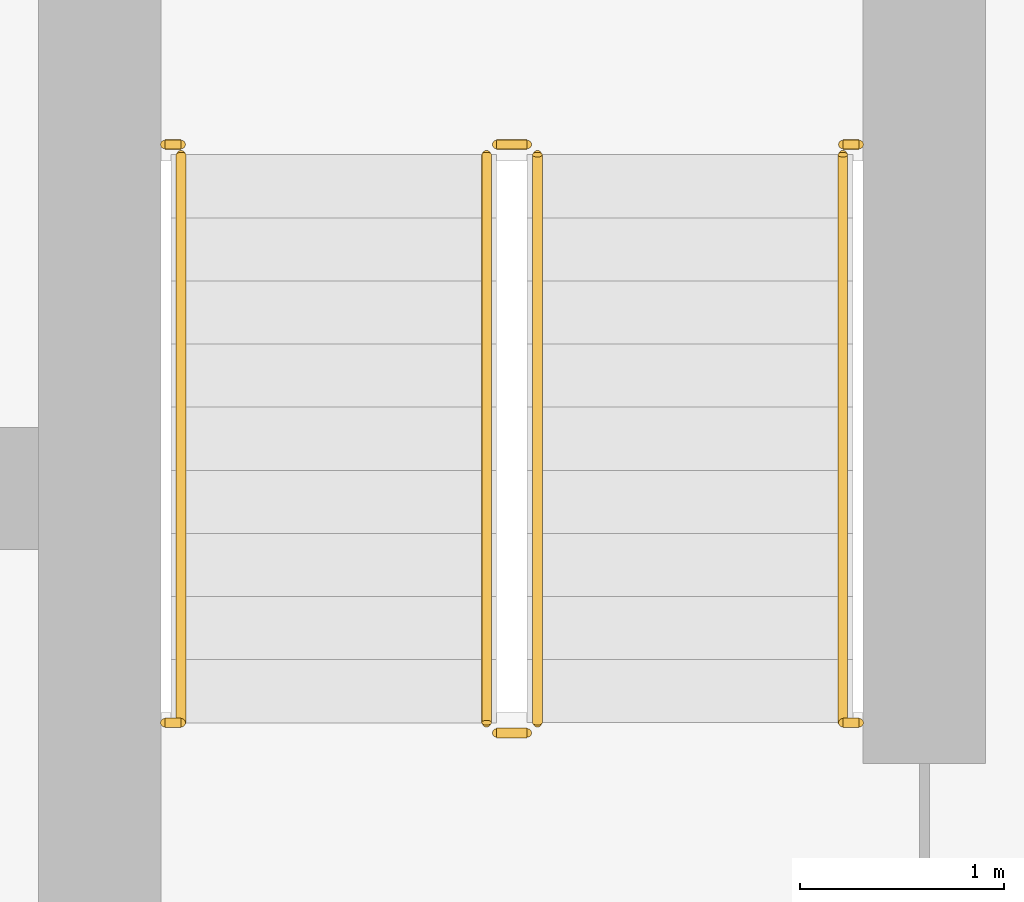
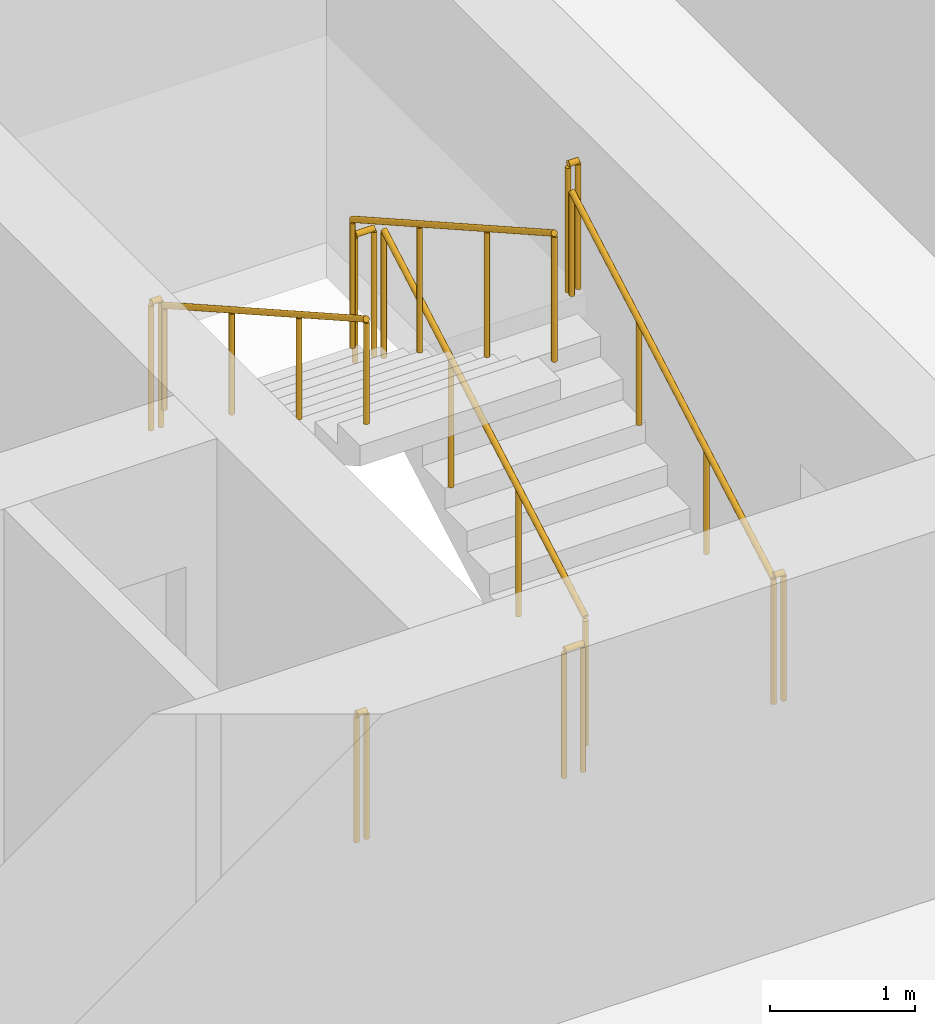
# One storey, part 20 of 22: 10 railings.
"""IFC4 building model written with IfcOpenShell, lengths in metres."""

from ifc_helpers import new_model, si_unit, direction, frame, origin, origin_2d, place, context, subcontext, project, spatial, circle, extrude, material, type_object, element, save


model = new_model("IFC4")

# Units and contexts
model_context = context("Model", 3, precision=1e-05, world=origin(), true_north=direction((0.0, 1.0)))
body_context = subcontext(model_context, "Body", "Model", "MODEL_VIEW")
ifc_project = project(units=[si_unit("LENGTHUNIT", "METRE"), si_unit("AREAUNIT", "SQUARE_METRE"), si_unit("VOLUMEUNIT", "CUBIC_METRE"), si_unit("PLANEANGLEUNIT", "RADIAN"), si_unit("MASSUNIT", "GRAM", prefix="KILO")], contexts=[model_context])

# Site, building, storey
site_placement = place(None, origin())
site = spatial("IfcSite", under=ifc_project, at=site_placement, CompositionType="ELEMENT")
building_placement = place(site_placement, origin())
building = spatial("IfcBuilding", under=site, at=building_placement, Name="Madar Terraces", CompositionType="ELEMENT")
storey_placement = place(building_placement, frame((0.0, 0.0, 170.0)))
storey = spatial("IfcBuildingStorey", under=building, at=storey_placement, Name="L44", CompositionType="ELEMENT", Elevation=170.0)

# Railings
ifc_material_1 = material(Name="Stainless steel railing", Category="steel")
railing_type_1 = type_object("IfcRailingType", Name="Stair guard 1100", PredefinedType="GUARDRAIL", material=ifc_material_1)
railing_1_placement = place(storey_placement, frame((41.449951171875, 17.60009765625, 0.175048828125)))
element("IfcRailing", 1, at=railing_1_placement, inside=storey, type_object=railing_type_1, Name="L44 ST3 stair guard 1", PredefinedType="GUARDRAIL", context=body_context, shape_type="SweptSolid", body=[
    extrude(circle(Radius=0.02392578125, at=origin_2d()), frame((0.0, 0.0, 1.076171875), z_axis=(0.0, 0.870815363784, 0.491610213684), x_axis=(-1.0, 0.0, 0.0)), (0.0, 0.0, 1.0), 3.20361328125),
    extrude(circle(Radius=0.02099609375, at=origin_2d()), origin(), (0.0, 0.0, 1.0), 1.052001953125),
    extrude(circle(Radius=0.02099609375, at=origin_2d()), frame((0.0, 0.929931640625, 0.52490234375)), (0.0, 0.0, 1.0), 1.052001953125),
    extrude(circle(Radius=0.02099609375, at=origin_2d()), frame((0.0, 1.85986328125, 1.050048828125)), (0.0, 0.0, 1.0), 1.052001953125),
    extrude(circle(Radius=0.02099609375, at=origin_2d()), frame((0.0, 2.789794921875, 1.574951171875)), (0.0, 0.0, 1.0), 1.052001953125),
])
railing_2_placement = place(storey_placement, frame((41.39990234375, 20.43994140625, 1.75)))
element("IfcRailing", 2, at=railing_2_placement, inside=storey, type_object=railing_type_1, Name="L44 ST3 stair guard 2", PredefinedType="GUARDRAIL", context=body_context, shape_type="SweptSolid", body=[
    extrude(circle(Radius=0.02392578125, at=origin_2d()), frame((0.0, 0.0, 1.076171875), z_axis=(-1.0, 0.0, 0.0), x_axis=(0.0, -1.0, 0.0)), (0.0, 0.0, 1.0), 0.14990234375),
    extrude(circle(Radius=0.02099609375, at=origin_2d()), origin(), (0.0, 0.0, 1.0), 1.052001953125),
    extrude(circle(Radius=0.02099609375, at=origin_2d()), frame((-0.14990234375, 0.0, 0.0)), (0.0, 0.0, 1.0), 1.052001953125),
])
railing_3_placement = place(storey_placement, frame((41.199951171875, 20.389892578125, 1.925048828125)))
element("IfcRailing", 3, at=railing_3_placement, inside=storey, type_object=railing_type_1, Name="L44 ST3 stair guard 3", PredefinedType="GUARDRAIL", context=body_context, shape_type="SweptSolid", body=[
    extrude(circle(Radius=0.02392578125, at=origin_2d()), frame((0.0, 0.0, 1.076171875), z_axis=(0.0, -0.870815363784, 0.491610213684), x_axis=(1.0, 0.0, 0.0)), (0.0, 0.0, 1.0), 3.20361328125),
    extrude(circle(Radius=0.02099609375, at=origin_2d()), origin(), (0.0, 0.0, 1.0), 1.052001953125),
    extrude(circle(Radius=0.02099609375, at=origin_2d()), frame((0.0, -0.929931640625, 0.52490234375)), (0.0, 0.0, 1.0), 1.052001953125),
    extrude(circle(Radius=0.02099609375, at=origin_2d()), frame((0.0, -1.85986328125, 1.050048828125)), (0.0, 0.0, 1.0), 1.052001953125),
    extrude(circle(Radius=0.02099609375, at=origin_2d()), frame((0.0, -2.789794921875, 1.574951171875)), (0.0, 0.0, 1.0), 1.052001953125),
])
railing_4_placement = place(storey_placement, frame((41.39990234375, 17.550048828125, 0.0)))
element("IfcRailing", 4, at=railing_4_placement, inside=storey, type_object=railing_type_1, Name="L44 ST3 stair guard 4", PredefinedType="GUARDRAIL", context=body_context, shape_type="SweptSolid", body=[
    extrude(circle(Radius=0.02392578125, at=origin_2d()), frame((0.0, 0.0, 1.076171875), z_axis=(-1.0, 0.0, 0.0), x_axis=(0.0, -1.0, 0.0)), (0.0, 0.0, 1.0), 0.14990234375),
    extrude(circle(Radius=0.02099609375, at=origin_2d()), origin(), (0.0, 0.0, 1.0), 1.052001953125),
    extrude(circle(Radius=0.02099609375, at=origin_2d()), frame((-0.14990234375, 0.0, 0.0)), (0.0, 0.0, 1.0), 1.052001953125),
])
railing_5_placement = place(storey_placement, frame((39.6201171875, 20.43994140625, 1.75)))
element("IfcRailing", 5, at=railing_5_placement, inside=storey, type_object=railing_type_1, Name="L44 stair guard seat 1", PredefinedType="GUARDRAIL", context=body_context, shape_type="SweptSolid", body=[
    extrude(circle(Radius=0.02392578125, at=origin_2d()), frame((0.0, 0.0, 1.076171875), z_axis=(1.0, 0.0, 0.0), x_axis=(0.0, 1.0, 0.0)), (0.0, 0.0, 1.0), 0.079833984375),
    extrude(circle(Radius=0.02099609375, at=origin_2d()), origin(), (0.0, 0.0, 1.0), 1.052001953125),
    extrude(circle(Radius=0.02099609375, at=origin_2d()), frame((0.079833984375, 0.0, 0.0)), (0.0, 0.0, 1.0), 1.052001953125),
])
railing_6_placement = place(storey_placement, frame((42.949951171875, 20.43994140625, 1.75)))
element("IfcRailing", 6, at=railing_6_placement, inside=storey, type_object=railing_type_1, Name="L44 stair guard seat 2", PredefinedType="GUARDRAIL", context=body_context, shape_type="SweptSolid", body=[
    extrude(circle(Radius=0.02392578125, at=origin_2d()), frame((0.0, 0.0, 1.076171875), z_axis=(1.0, 0.0, 0.0), x_axis=(0.0, 1.0, 0.0)), (0.0, 0.0, 1.0), 0.080078125),
    extrude(circle(Radius=0.02099609375, at=origin_2d()), origin(), (0.0, 0.0, 1.0), 1.052001953125),
    extrude(circle(Radius=0.02099609375, at=origin_2d()), frame((0.080078125, 0.0, 0.0)), (0.0, 0.0, 1.0), 1.052001953125),
])
railing_7_placement = place(storey_placement, frame((39.6201171875, 17.60009765625, 0.0)))
element("IfcRailing", 7, at=railing_7_placement, inside=storey, type_object=railing_type_1, Name="L44 stair guard floor 1", PredefinedType="GUARDRAIL", context=body_context, shape_type="SweptSolid", body=[
    extrude(circle(Radius=0.02392578125, at=origin_2d()), frame((0.0, 0.0, 1.076171875), z_axis=(1.0, 0.0, 0.0), x_axis=(0.0, 1.0, 0.0)), (0.0, 0.0, 1.0), 0.079833984375),
    extrude(circle(Radius=0.02099609375, at=origin_2d()), origin(), (0.0, 0.0, 1.0), 1.052001953125),
    extrude(circle(Radius=0.02099609375, at=origin_2d()), frame((0.079833984375, 0.0, 0.0)), (0.0, 0.0, 1.0), 1.052001953125),
])
railing_8_placement = place(storey_placement, frame((42.949951171875, 17.60009765625, 0.0)))
element("IfcRailing", 8, at=railing_8_placement, inside=storey, type_object=railing_type_1, Name="L44 stair guard floor 2", PredefinedType="GUARDRAIL", context=body_context, shape_type="SweptSolid", body=[
    extrude(circle(Radius=0.02392578125, at=origin_2d()), frame((0.0, 0.0, 1.076171875), z_axis=(1.0, 0.0, 0.0), x_axis=(0.0, 1.0, 0.0)), (0.0, 0.0, 1.0), 0.080078125),
    extrude(circle(Radius=0.02099609375, at=origin_2d()), origin(), (0.0, 0.0, 1.0), 1.052001953125),
    extrude(circle(Radius=0.02099609375, at=origin_2d()), frame((0.080078125, 0.0, 0.0)), (0.0, 0.0, 1.0), 1.052001953125),
])
ifc_material_2 = material(Name="Stainless steel railing", Category="steel")
railing_type_2 = type_object("IfcRailingType", Name="Stair handrail 900", PredefinedType="HANDRAIL", material=ifc_material_2)
railing_9_placement = place(storey_placement, frame((42.949951171875, 17.60009765625, 0.175048828125)))
element("IfcRailing", 9, at=railing_9_placement, inside=storey, type_object=railing_type_2, Name="L44 ST3 stair handrail 1", PredefinedType="HANDRAIL", context=body_context, shape_type="SweptSolid", body=[
    extrude(circle(Radius=0.02392578125, at=origin_2d()), frame((0.0, 0.0, 0.8759765625), z_axis=(0.0, 0.870815363784, 0.491610213684), x_axis=(-1.0, 0.0, 0.0)), (0.0, 0.0, 1.0), 3.20361328125),
    extrude(circle(Radius=0.02099609375, at=origin_2d()), origin(), (0.0, 0.0, 1.0), 0.851806640625),
    extrude(circle(Radius=0.02099609375, at=origin_2d()), frame((0.0, 0.929931640625, 0.52490234375)), (0.0, 0.0, 1.0), 0.851806640625),
    extrude(circle(Radius=0.02099609375, at=origin_2d()), frame((0.0, 1.85986328125, 1.050048828125)), (0.0, 0.0, 1.0), 0.851806640625),
    extrude(circle(Radius=0.02099609375, at=origin_2d()), frame((0.0, 2.789794921875, 1.574951171875)), (0.0, 0.0, 1.0), 0.851806640625),
])
railing_10_placement = place(storey_placement, frame((39.699951171875, 20.389892578125, 1.925048828125)))
element("IfcRailing", 10, at=railing_10_placement, inside=storey, type_object=railing_type_2, Name="L44 ST3 stair handrail 2", PredefinedType="HANDRAIL", context=body_context, shape_type="SweptSolid", body=[
    extrude(circle(Radius=0.02392578125, at=origin_2d()), frame((0.0, 0.0, 0.8759765625), z_axis=(0.0, -0.870815363784, 0.491610213684), x_axis=(1.0, 0.0, 0.0)), (0.0, 0.0, 1.0), 3.20361328125),
    extrude(circle(Radius=0.02099609375, at=origin_2d()), origin(), (0.0, 0.0, 1.0), 0.851806640625),
    extrude(circle(Radius=0.02099609375, at=origin_2d()), frame((0.0, -0.929931640625, 0.52490234375)), (0.0, 0.0, 1.0), 0.851806640625),
    extrude(circle(Radius=0.02099609375, at=origin_2d()), frame((0.0, -1.85986328125, 1.050048828125)), (0.0, 0.0, 1.0), 0.851806640625),
    extrude(circle(Radius=0.02099609375, at=origin_2d()), frame((0.0, -2.789794921875, 1.574951171875)), (0.0, 0.0, 1.0), 0.851806640625),
])

save(model, "model.ifc")
